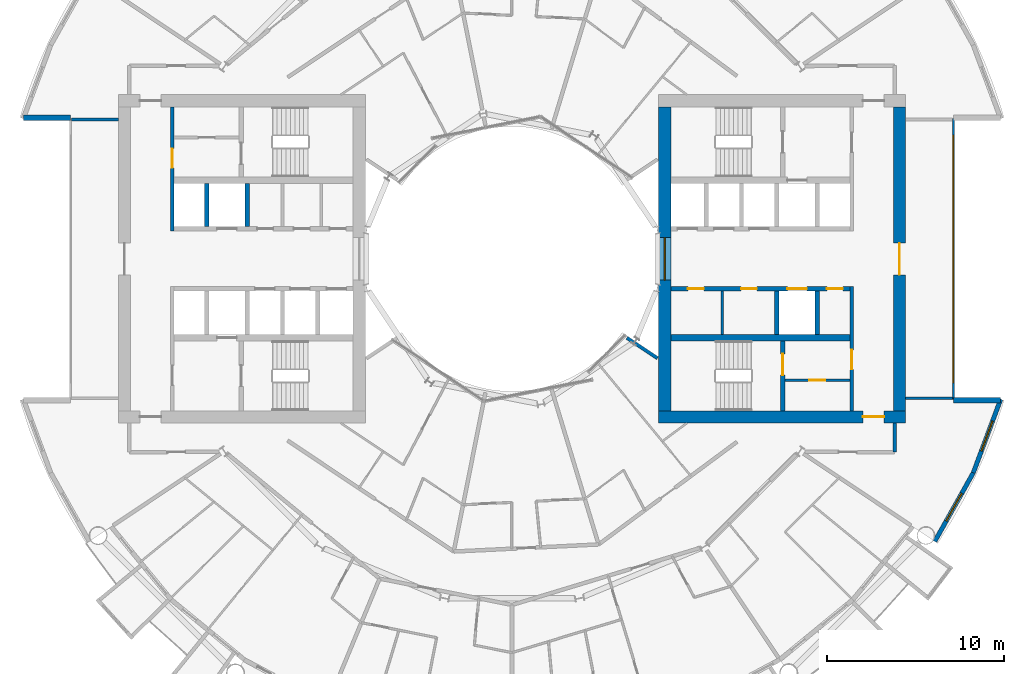
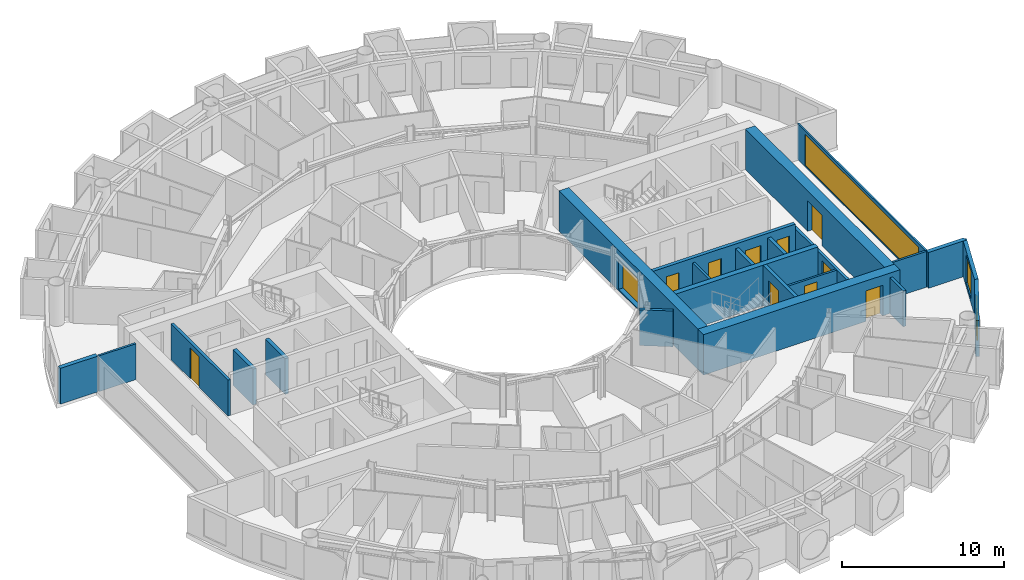
# One storey, part 17 of 26: 23 walls, 10 doors, 4 windows, 14 openings.
"""IFC4 building model written with IfcOpenShell, lengths in metres."""

from ifc_helpers import new_model, si_unit, direction, frame, frame_2d, origin, place, context, subcontext, project, spatial, rectangle, extrude, material, layer, layer_set, type_object, element, fill, save


model = new_model("IFC4")

# Units and contexts
model_context = context("Model", 3, precision=1e-05, world=origin(), true_north=direction((0.0, 1.0)))
body_context = subcontext(model_context, "Body", "Model", "MODEL_VIEW")
ifc_project = project(units=[si_unit("LENGTHUNIT", "METRE"), si_unit("AREAUNIT", "SQUARE_METRE"), si_unit("VOLUMEUNIT", "CUBIC_METRE"), si_unit("PLANEANGLEUNIT", "RADIAN"), si_unit("MASSUNIT", "GRAM", prefix="KILO")], contexts=[model_context])

# Site, building, storey
site_placement = place(None, origin())
site = spatial("IfcSite", under=ifc_project, at=site_placement, CompositionType="ELEMENT")
building_placement = place(site_placement, origin())
building = spatial("IfcBuilding", under=site, at=building_placement, Name="Maasbend Ring Residences", CompositionType="ELEMENT")
storey_placement = place(building_placement, frame((0.0, 0.0, 88.0)))
storey = spatial("IfcBuildingStorey", under=building, at=storey_placement, Name="L25", CompositionType="ELEMENT", Elevation=88.0)

# Wall, openings, doors
ifc_material_1 = material(Name="Concrete C70/85", Category="concrete")
ifc_layer_1 = layer(ifc_material_1, 0.25)
ifc_layer_set_1 = layer_set([ifc_layer_1], Name="Concrete C70/85")
wall_type_1 = type_object("IfcWallType", Name="CORE WALL 250 C70/85", PredefinedType="SHEAR", material=ifc_layer_set_1)
wall_1_placement = place(storey_placement, frame((19.14990234375, -1.699951171875, 0.0), z_axis=(0.0, 0.0, 1.0), x_axis=(-1.0, 0.0, 0.0)))
wall_1 = element("IfcWall", 1, at=wall_1_placement, inside=storey, type_object=wall_type_1, Name="L25 core E wall SPS", PredefinedType="SHEAR", context=body_context, shape_type="SweptSolid", body=[
    extrude(rectangle(XDim=10.14990234375, YDim=0.25, at=frame_2d((5.074951171875, 0.0))), origin(), (0.0, 0.0, 1.0), 3.050048828125),
])
opening_1_placement = place(wall_1_placement, frame((2.449951171875, 0.0, 0.0)))
opening_1 = element("IfcOpeningElement", 2, at=opening_1_placement, cuts=wall_1, Name="Opening LD-E2505", PredefinedType="OPENING", context=body_context, shape_type="SweptSolid", body=[
    extrude(rectangle(XDim=1.10009765625, YDim=2.300048828125, at=frame_2d((0.550048828125, 1.14990234375))), frame((0.0, 0.135009765625, 0.0), z_axis=(0.0, -1.0, 0.0), x_axis=(1.0, 0.0, 0.0)), (0.0, 0.0, 1.0), 0.27001953125),
])
opening_2_placement = place(wall_1_placement, frame((8.28759765625, 0.0, 0.0)))
opening_2 = element("IfcOpeningElement", 3, at=opening_2_placement, cuts=wall_1, Name="Opening D-E2506", PredefinedType="OPENING", context=body_context, shape_type="SweptSolid", body=[
    extrude(rectangle(XDim=0.89990234375, YDim=2.300048828125, at=frame_2d((0.449951171875, 1.14990234375))), frame((0.0, 0.135009765625, 0.0), z_axis=(0.0, -1.0, 0.0), x_axis=(1.0, 0.0, 0.0)), (0.0, 0.0, 1.0), 0.27001953125),
])
opening_3_placement = place(wall_1_placement, frame((5.27490234375, 0.0, 0.0)))
opening_3 = element("IfcOpeningElement", 4, at=opening_3_placement, cuts=wall_1, Name="Opening D-E2507", PredefinedType="OPENING", context=body_context, shape_type="SweptSolid", body=[
    extrude(rectangle(XDim=0.89990234375, YDim=2.300048828125, at=frame_2d((0.449951171875, 1.14990234375))), frame((0.0, 0.135009765625, 0.0), z_axis=(0.0, -1.0, 0.0), x_axis=(1.0, 0.0, 0.0)), (0.0, 0.0, 1.0), 0.27001953125),
])
opening_4_placement = place(wall_1_placement, frame((0.41259765625, 0.0, 0.0)))
opening_4 = element("IfcOpeningElement", 5, at=opening_4_placement, cuts=wall_1, Name="Opening D-E2508", PredefinedType="OPENING", context=body_context, shape_type="SweptSolid", body=[
    extrude(rectangle(XDim=0.89990234375, YDim=2.300048828125, at=frame_2d((0.449951171875, 1.14990234375))), frame((0.0, 0.135009765625, 0.0), z_axis=(0.0, -1.0, 0.0), x_axis=(1.0, 0.0, 0.0)), (0.0, 0.0, 1.0), 0.27001953125),
])
ifc_material_2 = material(Name="Stainless steel 316", Category="steel")
door_type_1 = type_object("IfcDoorType", Name="LANDING DOOR 1100 X 2300 FD60", OperationType="DOUBLE_DOOR_SLIDING", PredefinedType="DOOR", material=ifc_material_2)
door_1_placement = place(opening_1_placement, origin())
door_1 = element("IfcDoor", 6, at=door_1_placement, inside=storey, type_object=door_type_1, Name="Landing door SV-E L25", OperationType="DOUBLE_DOOR_SLIDING", OverallHeight=2.300048828125, OverallWidth=1.10009765625, PredefinedType="DOOR", context=body_context, shape_type="SweptSolid", body=[
    extrude(rectangle(XDim=1.10009765625, YDim=2.300048828125, at=frame_2d((0.550048828125, 1.14990234375))), frame((0.0, 0.02490234375, 0.0), z_axis=(0.0, -1.0, 0.0), x_axis=(1.0, 0.0, 0.0)), (0.0, 0.0, 1.0), 0.050048828125),
])
fill(opening_1, door_1)
ifc_material_3 = material(Name="Steel, powder coated", Category="steel")
door_type_2 = type_object("IfcDoorType", Name="ROOM DOOR 900 X 2300 FD30S", OperationType="NOTDEFINED", PredefinedType="DOOR", material=ifc_material_3)
door_2_placement = place(opening_2_placement, origin())
door_2 = element("IfcDoor", 7, at=door_2_placement, inside=storey, type_object=door_type_2, Name="Room door L25", OperationType="SINGLE_SWING_LEFT", OverallHeight=2.300048828125, OverallWidth=0.89990234375, PredefinedType="DOOR", context=body_context, shape_type="SweptSolid", body=[
    extrude(rectangle(XDim=0.89990234375, YDim=2.300048828125, at=frame_2d((0.449951171875, 1.14990234375))), frame((0.0, 0.02490234375, 0.0), z_axis=(0.0, -1.0, 0.0), x_axis=(1.0, 0.0, 0.0)), (0.0, 0.0, 1.0), 0.050048828125),
])
fill(opening_2, door_2)
door_3_placement = place(opening_3_placement, origin())
door_3 = element("IfcDoor", 8, at=door_3_placement, inside=storey, type_object=door_type_2, Name="Room door L25", OperationType="SINGLE_SWING_LEFT", OverallHeight=2.300048828125, OverallWidth=0.89990234375, PredefinedType="DOOR", context=body_context, shape_type="SweptSolid", body=[
    extrude(rectangle(XDim=0.89990234375, YDim=2.300048828125, at=frame_2d((0.449951171875, 1.14990234375))), frame((0.0, 0.02490234375, 0.0), z_axis=(0.0, -1.0, 0.0), x_axis=(1.0, 0.0, 0.0)), (0.0, 0.0, 1.0), 0.050048828125),
])
fill(opening_3, door_3)
door_4_placement = place(opening_4_placement, origin())
door_4 = element("IfcDoor", 9, at=door_4_placement, inside=storey, type_object=door_type_2, Name="Room door L25", OperationType="SINGLE_SWING_RIGHT", OverallHeight=2.300048828125, OverallWidth=0.89990234375, PredefinedType="DOOR", context=body_context, shape_type="SweptSolid", body=[
    extrude(rectangle(XDim=0.89990234375, YDim=2.300048828125, at=frame_2d((0.449951171875, 1.14990234375))), frame((0.0, 0.02490234375, 0.0), z_axis=(0.0, -1.0, 0.0), x_axis=(1.0, 0.0, 0.0)), (0.0, 0.0, 1.0), 0.050048828125),
])
fill(opening_4, door_4)

# Wall, opening, door
wall_2_placement = place(storey_placement, frame((15.324951171875, -8.60009765625, 0.0), z_axis=(0.0, 0.0, 1.0), x_axis=(0.0, 1.0, 0.0)))
wall_2 = element("IfcWall", 10, at=wall_2_placement, inside=storey, type_object=wall_type_1, Name="L25 core E wall STES", PredefinedType="SHEAR", context=body_context, shape_type="SweptSolid", body=[
    extrude(rectangle(XDim=3.9501953125, YDim=0.25, at=frame_2d((1.97509765625, 0.0))), origin(), (0.0, 0.0, 1.0), 3.050048828125),
])
opening_5_placement = place(wall_2_placement, frame((2.02490234375, 0.0, 0.0)))
opening_5 = element("IfcOpeningElement", 11, at=opening_5_placement, cuts=wall_2, Name="Opening D-E2511", PredefinedType="OPENING", context=body_context, shape_type="SweptSolid", body=[
    extrude(rectangle(XDim=1.199951171875, YDim=2.300048828125, at=frame_2d((0.60009765625, 1.14990234375))), frame((0.0, 0.135009765625, 0.0), z_axis=(0.0, -1.0, 0.0), x_axis=(1.0, 0.0, 0.0)), (0.0, 0.0, 1.0), 0.27001953125),
])
ifc_material_4 = material(Name="Steel, powder coated", Category="steel")
door_type_3 = type_object("IfcDoorType", Name="STAIR DOOR 1200 X 2300 FD60", OperationType="NOTDEFINED", PredefinedType="DOOR", material=ifc_material_4)
door_5_placement = place(opening_5_placement, origin())
door_5 = element("IfcDoor", 12, at=door_5_placement, inside=storey, type_object=door_type_3, Name="Stair door ST-E L25", OperationType="SINGLE_SWING_LEFT", OverallHeight=2.300048828125, OverallWidth=1.199951171875, PredefinedType="DOOR", context=body_context, shape_type="SweptSolid", body=[
    extrude(rectangle(XDim=1.199951171875, YDim=2.300048828125, at=frame_2d((0.60009765625, 1.14990234375))), frame((0.0, 0.02490234375, 0.0), z_axis=(0.0, -1.0, 0.0), x_axis=(1.0, 0.0, 0.0)), (0.0, 0.0, 1.0), 0.050048828125),
])
fill(opening_5, door_5)

# Wall
ifc_material_5 = material(Name="Concrete C70/85", Category="concrete")
ifc_layer_2 = layer(ifc_material_5, 0.375)
ifc_layer_set_2 = layer_set([ifc_layer_2], Name="Concrete C70/85")
wall_type_2 = type_object("IfcWallType", Name="CORE WALL 375 C70/85", PredefinedType="SHEAR", material=ifc_layer_set_2)
wall_3_placement = place(storey_placement, frame((9.0, -4.46240234375, 0.0), z_axis=(0.0, 0.0, 1.0), x_axis=(1.0, 0.0, 0.0)))
element("IfcWall", 13, at=wall_3_placement, inside=storey, type_object=wall_type_2, Name="L25 core E wall BS", PredefinedType="SHEAR", context=body_context, shape_type="SweptSolid", body=[
    extrude(rectangle(XDim=10.14990234375, YDim=0.375, at=frame_2d((5.074951171875, 0.0))), origin(), (0.0, 0.0, 1.0), 3.050048828125),
])

# Wall, opening, door
ifc_material_6 = material(Name="Concrete C70/85", Category="concrete")
ifc_layer_3 = layer(ifc_material_6, 0.699951171875)
ifc_layer_set_3 = layer_set([ifc_layer_3], Name="Concrete C70/85")
wall_type_3 = type_object("IfcWallType", Name="CORE WALL 700 C70/85", PredefinedType="SHEAR", material=ifc_layer_set_3)
wall_4_placement = place(storey_placement, frame((8.300048828125, -8.949951171875, 0.0), z_axis=(0.0, 0.0, 1.0), x_axis=(1.0, 0.0, 0.0)))
wall_4 = element("IfcWall", 14, at=wall_4_placement, inside=storey, type_object=wall_type_3, Name="L25 core E wall PS", PredefinedType="SHEAR", context=body_context, shape_type="SweptSolid", body=[
    extrude(rectangle(XDim=14.0, YDim=0.699951171875, at=frame_2d((7.0, 0.0))), origin(), (0.0, 0.0, 1.0), 3.050048828125),
])
opening_6_placement = place(wall_4_placement, frame((11.574951171875, 0.0, 0.0)))
opening_6 = element("IfcOpeningElement", 15, at=opening_6_placement, cuts=wall_4, Name="Opening D-E2515", PredefinedType="OPENING", context=body_context, shape_type="SweptSolid", body=[
    extrude(rectangle(XDim=1.199951171875, YDim=2.300048828125, at=frame_2d((0.60009765625, 1.14990234375))), frame((0.0, 0.35986328125, 0.0), z_axis=(0.0, -1.0, 0.0), x_axis=(1.0, 0.0, 0.0)), (0.0, 0.0, 1.0), 0.719970703125),
])
ifc_material_7 = material(Name="Steel, powder coated", Category="steel")
door_type_4 = type_object("IfcDoorType", Name="CORRIDOR DOOR 1200 X 2300 FD30S", OperationType="NOTDEFINED", PredefinedType="DOOR", material=ifc_material_7)
door_6_placement = place(opening_6_placement, origin())
door_6 = element("IfcDoor", 16, at=door_6_placement, inside=storey, type_object=door_type_4, Name="Corridor door L25", OperationType="SINGLE_SWING_LEFT", OverallHeight=2.300048828125, OverallWidth=1.199951171875, PredefinedType="DOOR", context=body_context, shape_type="SweptSolid", body=[
    extrude(rectangle(XDim=1.199951171875, YDim=2.300048828125, at=frame_2d((0.60009765625, 1.14990234375))), frame((0.0, 0.02490234375, 0.0), z_axis=(0.0, -1.0, 0.0), x_axis=(1.0, 0.0, 0.0)), (0.0, 0.0, 1.0), 0.050048828125),
])
fill(opening_6, door_6)

wall_5_placement = place(storey_placement, frame((21.949951171875, 8.60009765625, 0.0), z_axis=(0.0, 0.0, 1.0), x_axis=(0.0, -1.0, 0.0)))
wall_5 = element("IfcWall", 17, at=wall_5_placement, inside=storey, type_object=wall_type_3, Name="L25 core E wall POUT", PredefinedType="SHEAR", context=body_context, shape_type="SweptSolid", body=[
    extrude(rectangle(XDim=17.2001953125, YDim=0.699951171875, at=frame_2d((8.60009765625, 0.0))), origin(), (0.0, 0.0, 1.0), 3.050048828125),
])
opening_7_placement = place(wall_5_placement, frame((7.699951171875, 0.0, 0.0)))
opening_7 = element("IfcOpeningElement", 18, at=opening_7_placement, cuts=wall_5, Name="Opening D-E2516", PredefinedType="OPENING", context=body_context, shape_type="SweptSolid", body=[
    extrude(rectangle(XDim=1.800048828125, YDim=2.300048828125, at=frame_2d((0.89990234375, 1.14990234375))), frame((0.0, 0.35986328125, 0.0), z_axis=(0.0, -1.0, 0.0), x_axis=(1.0, 0.0, 0.0)), (0.0, 0.0, 1.0), 0.719970703125),
])
ifc_material_8 = material(Name="Aluminium frame, clear glass", Category="aluminium")
door_type_5 = type_object("IfcDoorType", Name="ENTRANCE DOOR 1800 X 2300 FD60", OperationType="NOTDEFINED", PredefinedType="DOOR", material=ifc_material_8)
door_7_placement = place(opening_7_placement, origin())
door_7 = element("IfcDoor", 19, at=door_7_placement, inside=storey, type_object=door_type_5, Name="Lobby glazed door L25", OperationType="SINGLE_SWING_LEFT", OverallHeight=2.300048828125, OverallWidth=1.800048828125, PredefinedType="DOOR", context=body_context, shape_type="SweptSolid", body=[
    extrude(rectangle(XDim=1.800048828125, YDim=2.300048828125, at=frame_2d((0.89990234375, 1.14990234375))), frame((0.0, 0.02490234375, 0.0), z_axis=(0.0, -1.0, 0.0), x_axis=(1.0, 0.0, 0.0)), (0.0, 0.0, 1.0), 0.050048828125),
])
fill(opening_7, door_7)

# Wall, opening, window
wall_6_placement = place(storey_placement, frame((8.64990234375, -8.60009765625, 0.0), z_axis=(0.0, 0.0, 1.0), x_axis=(0.0, 1.0, 0.0)))
wall_6 = element("IfcWall", 20, at=wall_6_placement, inside=storey, type_object=wall_type_3, Name="L25 core E wall PIN", PredefinedType="SHEAR", context=body_context, shape_type="SweptSolid", body=[
    extrude(rectangle(XDim=17.2001953125, YDim=0.699951171875, at=frame_2d((8.60009765625, 0.0))), origin(), (0.0, 0.0, 1.0), 3.050048828125),
])
opening_8_placement = place(wall_6_placement, frame((7.39990234375, 0.0, 0.10009765625)))
opening_8 = element("IfcOpeningElement", 21, at=opening_8_placement, cuts=wall_6, Name="Opening W-E2501", PredefinedType="OPENING", context=body_context, shape_type="SweptSolid", body=[
    extrude(rectangle(XDim=2.39990234375, YDim=2.199951171875, at=frame_2d((1.199951171875, 1.10009765625))), frame((0.0, 0.35986328125, 0.0), z_axis=(0.0, -1.0, 0.0), x_axis=(1.0, 0.0, 0.0)), (0.0, 0.0, 1.0), 0.719970703125),
])
ifc_material_9 = material(Name="Aluminium frame and clear glass", Category="aluminium")
window_type_1 = type_object("IfcWindowType", Name="FIXED WINDOW 2400 X 2200", PartitioningType="SINGLE_PANEL", PredefinedType="WINDOW", material=ifc_material_9)
window_1_placement = place(opening_8_placement, origin())
window_1 = element("IfcWindow", 22, at=window_1_placement, inside=storey, type_object=window_type_1, Name="Lobby window L25", OverallHeight=2.199951171875, OverallWidth=2.39990234375, PartitioningType="SINGLE_PANEL", PredefinedType="WINDOW", context=body_context, shape_type="SweptSolid", body=[
    extrude(rectangle(XDim=2.39990234375, YDim=2.199951171875, at=frame_2d((1.199951171875, 1.10009765625))), frame((0.0, 0.030029296875, 0.0), z_axis=(0.0, -1.0, 0.0), x_axis=(1.0, 0.0, 0.0)), (0.0, 0.0, 1.0), 0.06005859375),
])
fill(opening_8, window_1)

# Wall
ifc_material_10 = material(Name="Concrete C30/37", Category="concrete")
ifc_layer_4 = layer(ifc_material_10, 0.199951171875)
ifc_layer_set_4 = layer_set([ifc_layer_4], Name="Concrete C30/37")
wall_type_4 = type_object("IfcWallType", Name="CORRIDOR WALL 200 CONCRETE", PredefinedType="PARTITIONING", material=ifc_layer_set_4)
wall_7_placement = place(storey_placement, frame((21.675048828125, -10.949951171875, 0.0), z_axis=(0.0, 0.0, 1.0), x_axis=(0.0, 1.0, 0.0)))
element("IfcWall", 23, at=wall_7_placement, inside=storey, type_object=wall_type_4, Name="U-L25-w005", PredefinedType="PARTITIONING", context=body_context, shape_type="SweptSolid", body=[
    extrude(rectangle(XDim=1.64990234375, YDim=0.199951171875, at=frame_2d((0.824951171875, 0.0))), origin(), (0.0, 0.0, 1.0), 2.699951171875),
])

# Wall, opening, window
ifc_material_11 = material(Name="Aluminium clad insulated panel", Category="aluminium")
ifc_layer_5 = layer(ifc_material_11, 0.25)
ifc_layer_set_5 = layer_set([ifc_layer_5], Name="EW-HORN")
wall_type_5 = type_object("IfcWallType", Name="EW-HORN", PredefinedType="SOLIDWALL", material=ifc_layer_set_5)
wall_8_placement = place(storey_placement, frame((23.946044921875, -16.0, 0.0), z_axis=(0.0, 0.0, 1.0), x_axis=(0.489696356642, 0.871893042919, 0.0)))
wall_8 = element("IfcWall", 24, at=wall_8_placement, inside=storey, type_object=wall_type_5, Name="Horn wall 2.1", PredefinedType="SOLIDWALL", context=body_context, shape_type="SweptSolid", body=[
    extrude(rectangle(XDim=4.45361328125, YDim=0.25, at=frame_2d((2.226806640625, 0.0))), origin(), (0.0, 0.0, 1.0), 2.699951171875),
])
opening_9_placement = place(wall_8_placement, frame((1.32666015625, 0.0, 0.300048828125)))
opening_9 = element("IfcOpeningElement", 25, at=opening_9_placement, cuts=wall_8, Name="Opening W-BX", PredefinedType="OPENING", context=body_context, shape_type="SweptSolid", body=[
    extrude(rectangle(XDim=1.800048828125, YDim=2.10009765625, at=frame_2d((0.89990234375, 1.050048828125))), frame((0.0, 0.135009765625, 0.0), z_axis=(0.0, -1.0, 0.0), x_axis=(1.0, 0.0, 0.0)), (0.0, 0.0, 1.0), 0.27001953125),
])
ifc_material_12 = material(Name="Aluminium and clear glass", Category="aluminium")
window_type_2 = type_object("IfcWindowType", Name="W-BX", PartitioningType="DOUBLE_PANEL_VERTICAL", PredefinedType="WINDOW", material=ifc_material_12)
window_2_placement = place(opening_9_placement, origin())
window_2 = element("IfcWindow", 26, at=window_2_placement, inside=storey, type_object=window_type_2, Name="Horn window 2.1", OverallHeight=2.10009765625, OverallWidth=1.800048828125, PartitioningType="SINGLE_PANEL", PredefinedType="WINDOW", context=body_context, shape_type="SweptSolid", body=[
    extrude(rectangle(XDim=1.800048828125, YDim=2.10009765625, at=frame_2d((0.89990234375, 1.050048828125))), frame((0.0, 0.030029296875, 0.0), z_axis=(0.0, -1.0, 0.0), x_axis=(1.0, 0.0, 0.0)), (0.0, 0.0, 1.0), 0.06005859375),
])
fill(opening_9, window_2)

wall_9_placement = place(storey_placement, frame((26.126953125, -12.116943359375, 0.0), z_axis=(0.0, 0.0, 1.0), x_axis=(0.349247811493, 0.937030397675, 0.0)))
wall_9 = element("IfcWall", 27, at=wall_9_placement, inside=storey, type_object=wall_type_5, Name="Horn wall 2.2", PredefinedType="SOLIDWALL", context=body_context, shape_type="SweptSolid", body=[
    extrude(rectangle(XDim=4.4521484375, YDim=0.25, at=frame_2d((2.22607421875, 0.0))), origin(), (0.0, 0.0, 1.0), 2.699951171875),
])
opening_10_placement = place(wall_9_placement, frame((1.32666015625, 0.0, 0.300048828125)))
opening_10 = element("IfcOpeningElement", 28, at=opening_10_placement, cuts=wall_9, Name="Opening W-BX", PredefinedType="OPENING", context=body_context, shape_type="SweptSolid", body=[
    extrude(rectangle(XDim=1.800048828125, YDim=2.10009765625, at=frame_2d((0.89990234375, 1.050048828125))), frame((0.0, 0.135009765625, 0.0), z_axis=(0.0, -1.0, 0.0), x_axis=(1.0, 0.0, 0.0)), (0.0, 0.0, 1.0), 0.27001953125),
])
window_3_placement = place(opening_10_placement, origin())
window_3 = element("IfcWindow", 29, at=window_3_placement, inside=storey, type_object=window_type_2, Name="Horn window 2.2", OverallHeight=2.10009765625, OverallWidth=1.800048828125, PartitioningType="SINGLE_PANEL", PredefinedType="WINDOW", context=body_context, shape_type="SweptSolid", body=[
    extrude(rectangle(XDim=1.800048828125, YDim=2.10009765625, at=frame_2d((0.89990234375, 1.050048828125))), frame((0.0, 0.030029296875, 0.0), z_axis=(0.0, -1.0, 0.0), x_axis=(1.0, 0.0, 0.0)), (0.0, 0.0, 1.0), 0.06005859375),
])
fill(opening_10, window_3)

# Walls
ifc_material_13 = material(Name="Aluminium clad insulated panel", Category="aluminium")
ifc_layer_6 = layer(ifc_material_13, 0.300048828125)
ifc_layer_set_6 = layer_set([ifc_layer_6], Name="EW-RET")
wall_type_6 = type_object("IfcWallType", Name="EW-RET", PredefinedType="SOLIDWALL", material=ifc_layer_set_6)
for number, where, z_axis, x_axis, name in (
    (30, (25.0, -8.0, 0.0), (0.0, 0.0, 1.0), (1.0, 0.0, 0.0), "Notch return wall east south"),
    (31, (-25.0, 8.0, 0.0), (0.0, 0.0, 1.0), (-1.0, 0.0, 0.0), "Notch return wall west north"),
):
    element("IfcWall", number, at=place(storey_placement, frame(where, z_axis=z_axis, x_axis=x_axis)), inside=storey, type_object=wall_type_6, Name=name, PredefinedType="SOLIDWALL", context=body_context, shape_type="SweptSolid", body=[
        extrude(rectangle(XDim=2.6669921875, YDim=0.300048828125, at=frame_2d((1.33349609375, 0.0))), origin(), (0.0, 0.0, 1.0), 2.699951171875),
    ])

# Wall, opening, window
ifc_material_14 = material(Name="Aluminium frame and clear glass", Category="aluminium")
ifc_layer_7 = layer(ifc_material_14, 0.1201171875)
ifc_layer_set_7 = layer_set([ifc_layer_7], Name="GLAZED SCREEN WALL 120 EI 60")
wall_type_7 = type_object("IfcWallType", Name="GLAZED SCREEN WALL 120 EI 60", PredefinedType="PARTITIONING", material=ifc_layer_set_7)
wall_10_placement = place(storey_placement, frame((25.0, -7.949951171875, 0.0), z_axis=(0.0, 0.0, 1.0), x_axis=(0.0, 1.0, 0.0)))
wall_10 = element("IfcWall", 32, at=wall_10_placement, inside=storey, type_object=wall_type_7, Name="L25 core E wall FACE", PredefinedType="PARTITIONING", context=body_context, shape_type="SweptSolid", body=[
    extrude(rectangle(XDim=15.89990234375, YDim=0.1201171875, at=frame_2d((7.949951171875, 0.0))), origin(), (0.0, 0.0, 1.0), 2.699951171875),
])
opening_11_placement = place(wall_10_placement, frame((0.949951171875, 0.0, 0.10009765625)))
opening_11 = element("IfcOpeningElement", 33, at=opening_11_placement, cuts=wall_10, Name="Opening W-E2502", PredefinedType="OPENING", context=body_context, shape_type="SweptSolid", body=[
    extrude(rectangle(XDim=14.0, YDim=2.35009765625, at=frame_2d((7.0, 1.175048828125))), frame((0.0, 0.070068359375, 0.0), z_axis=(0.0, -1.0, 0.0), x_axis=(1.0, 0.0, 0.0)), (0.0, 0.0, 1.0), 0.14013671875),
])
ifc_material_15 = material(Name="Aluminium frame and clear glass", Category="aluminium")
window_type_3 = type_object("IfcWindowType", Name="FIXED WINDOW 14000 X 2350", PartitioningType="SINGLE_PANEL", PredefinedType="WINDOW", material=ifc_material_15)
window_4_placement = place(opening_11_placement, origin())
window_4 = element("IfcWindow", 34, at=window_4_placement, inside=storey, type_object=window_type_3, Name="Lobby window L25", OverallHeight=2.35009765625, OverallWidth=14.0, PartitioningType="SINGLE_PANEL", PredefinedType="WINDOW", context=body_context, shape_type="SweptSolid", body=[
    extrude(rectangle(XDim=14.0, YDim=2.35009765625, at=frame_2d((7.0, 1.175048828125))), frame((0.0, 0.030029296875, 0.0), z_axis=(0.0, -1.0, 0.0), x_axis=(1.0, 0.0, 0.0)), (0.0, 0.0, 1.0), 0.06005859375),
])
fill(opening_11, window_4)

# Wall
ifc_material_16 = material(Name="Gypsum board on steel studs", Category="steel")
ifc_layer_8 = layer(ifc_material_16, 0.14990234375)
ifc_layer_set_8 = layer_set([ifc_layer_8], Name="PARTITION 150 EI 60")
wall_type_8 = type_object("IfcWallType", Name="PARTITION 150 EI 60", PredefinedType="PARTITIONING", material=ifc_layer_set_8)
wall_11_placement = place(storey_placement, frame((11.89990234375, -1.824951171875, 0.0), z_axis=(0.0, 0.0, 1.0), x_axis=(0.0, -1.0, 0.0)))
element("IfcWall", 35, at=wall_11_placement, inside=storey, type_object=wall_type_8, Name="L25 core E wall PRS1190", PredefinedType="PARTITIONING", context=body_context, shape_type="SweptSolid", body=[
    extrude(rectangle(XDim=2.449951171875, YDim=0.14990234375, at=frame_2d((1.22509765625, 0.0))), origin(), (0.0, 0.0, 1.0), 2.699951171875),
])

# Wall, opening, door
wall_12_placement = place(storey_placement, frame((15.449951171875, -6.875, 0.0), z_axis=(0.0, 0.0, 1.0), x_axis=(1.0, 0.0, 0.0)))
wall_12 = element("IfcWall", 36, at=wall_12_placement, inside=storey, type_object=wall_type_8, Name="L25 core E wall RHS", PredefinedType="PARTITIONING", context=body_context, shape_type="SweptSolid", body=[
    extrude(rectangle(XDim=3.699951171875, YDim=0.14990234375, at=frame_2d((1.85009765625, 0.0))), origin(), (0.0, 0.0, 1.0), 2.699951171875),
])
opening_12_placement = place(wall_12_placement, frame((1.39990234375, 0.0, 0.0)))
opening_12 = element("IfcOpeningElement", 37, at=opening_12_placement, cuts=wall_12, Name="Opening D-E2509", PredefinedType="OPENING", context=body_context, shape_type="SweptSolid", body=[
    extrude(rectangle(XDim=0.89990234375, YDim=2.300048828125, at=frame_2d((0.449951171875, 1.14990234375))), frame((0.0, 0.0849609375, 0.0), z_axis=(0.0, -1.0, 0.0), x_axis=(1.0, 0.0, 0.0)), (0.0, 0.0, 1.0), 0.169921875),
])
ifc_material_17 = material(Name="Steel, powder coated", Category="steel")
door_type_6 = type_object("IfcDoorType", Name="RISER DOOR 900 X 2300 FD60", OperationType="NOTDEFINED", PredefinedType="DOOR", material=ifc_material_17)
door_8_placement = place(opening_12_placement, origin())
door_8 = element("IfcDoor", 38, at=door_8_placement, inside=storey, type_object=door_type_6, Name="Riser door L25", OperationType="SINGLE_SWING_LEFT", OverallHeight=2.300048828125, OverallWidth=0.89990234375, PredefinedType="DOOR", context=body_context, shape_type="SweptSolid", body=[
    extrude(rectangle(XDim=0.89990234375, YDim=2.300048828125, at=frame_2d((0.449951171875, 1.14990234375))), frame((0.0, 0.02490234375, 0.0), z_axis=(0.0, -1.0, 0.0), x_axis=(1.0, 0.0, 0.0)), (0.0, 0.0, 1.0), 0.050048828125),
])
fill(opening_12, door_8)

# Walls
for number, where, z_axis, x_axis, name in (
    (39, (22.300048828125, -7.89990234375, 0.0), (0.0, 0.0, 1.0), (1.0, 0.0, 0.0), "L25 core E wall CITS"),
    (40, (-22.300048828125, 7.89990234375, 0.0), (0.0, 0.0, 1.0), (-1.0, 0.0, 0.0), "L25 core W wall CITS"),
):
    element("IfcWall", number, at=place(storey_placement, frame(where, z_axis=z_axis, x_axis=x_axis)), inside=storey, type_object=wall_type_8, Name=name, PredefinedType="PARTITIONING", context=body_context, shape_type="SweptSolid", body=[
        extrude(rectangle(XDim=2.639892578125, YDim=0.14990234375, at=frame_2d((1.31982421875, 0.0))), origin(), (0.0, 0.0, 1.0), 2.699951171875),
    ])
ifc_material_18 = material(Name="Concrete C30/37", Category="concrete")
ifc_layer_9 = layer(ifc_material_18, 0.199951171875)
ifc_layer_set_9 = layer_set([ifc_layer_9], Name="Concrete C30/37")
wall_type_9 = type_object("IfcWallType", Name="PARTY WALL 200 CONCRETE", PredefinedType="PARTITIONING", material=ifc_layer_set_9)
wall_13_placement = place(storey_placement, frame((6.512939453125, -4.471923828125, 0.0), z_axis=(0.0, 0.0, 1.0), x_axis=(0.831382204863, -0.555701025225, 0.0)))
element("IfcWall", 41, at=wall_13_placement, inside=storey, type_object=wall_type_9, Name="U-L25-w027", PredefinedType="PARTITIONING", context=body_context, shape_type="SweptSolid", body=[
    extrude(rectangle(XDim=2.08203125, YDim=0.199951171875, at=frame_2d((1.041015625, 0.0))), origin(), (0.0, 0.0, 1.0), 2.699951171875),
])

# Wall, opening, door
ifc_material_19 = material(Name="Concrete C30/37", Category="concrete")
ifc_layer_10 = layer(ifc_material_19, 0.199951171875)
ifc_layer_set_10 = layer_set([ifc_layer_10], Name="Concrete C30/37")
wall_type_10 = type_object("IfcWallType", Name="SHAFT WALL 200 EI 120", PredefinedType="SOLIDWALL", material=ifc_layer_set_10)
wall_14_placement = place(storey_placement, frame((19.25, -8.60009765625, 0.0), z_axis=(0.0, 0.0, 1.0), x_axis=(0.0, 1.0, 0.0)))
wall_14 = element("IfcWall", 42, at=wall_14_placement, inside=storey, type_object=wall_type_10, Name="L25 core E wall ENDS", PredefinedType="SOLIDWALL", context=body_context, shape_type="SweptSolid", body=[
    extrude(rectangle(XDim=7.025146484375, YDim=0.199951171875, at=frame_2d((3.5126953125, 0.0))), origin(), (0.0, 0.0, 1.0), 2.699951171875),
])
opening_13_placement = place(wall_14_placement, frame((2.35009765625, 0.0, 0.0)))
opening_13 = element("IfcOpeningElement", 43, at=opening_13_placement, cuts=wall_14, Name="Opening D-E2513", PredefinedType="OPENING", context=body_context, shape_type="SweptSolid", body=[
    extrude(rectangle(XDim=1.10009765625, YDim=2.300048828125, at=frame_2d((0.550048828125, 1.14990234375))), frame((0.0, 0.10986328125, 0.0), z_axis=(0.0, -1.0, 0.0), x_axis=(1.0, 0.0, 0.0)), (0.0, 0.0, 1.0), 0.219970703125),
])
ifc_material_20 = material(Name="Steel, powder coated", Category="steel")
door_type_7 = type_object("IfcDoorType", Name="LOBBY DOOR 1100 X 2300 FD60", OperationType="NOTDEFINED", PredefinedType="DOOR", material=ifc_material_20)
door_9_placement = place(opening_13_placement, origin())
door_9 = element("IfcDoor", 44, at=door_9_placement, inside=storey, type_object=door_type_7, Name="Lobby door L25", OperationType="SINGLE_SWING_RIGHT", OverallHeight=2.300048828125, OverallWidth=1.10009765625, PredefinedType="DOOR", context=body_context, shape_type="SweptSolid", body=[
    extrude(rectangle(XDim=1.10009765625, YDim=2.300048828125, at=frame_2d((0.550048828125, 1.14990234375))), frame((0.0, 0.02490234375, 0.0), z_axis=(0.0, -1.0, 0.0), x_axis=(1.0, 0.0, 0.0)), (0.0, 0.0, 1.0), 0.050048828125),
])
fill(opening_13, door_9)

wall_15_placement = place(storey_placement, frame((-19.25, 8.60009765625, 0.0), z_axis=(0.0, 0.0, 1.0), x_axis=(0.0, -1.0, 0.0)))
wall_15 = element("IfcWall", 45, at=wall_15_placement, inside=storey, type_object=wall_type_10, Name="L25 core W wall ENDS", PredefinedType="SOLIDWALL", context=body_context, shape_type="SweptSolid", body=[
    extrude(rectangle(XDim=7.025146484375, YDim=0.199951171875, at=frame_2d((3.5126953125, 0.0))), origin(), (0.0, 0.0, 1.0), 2.699951171875),
])
opening_14_placement = place(wall_15_placement, frame((2.35009765625, 0.0, 0.0)))
opening_14 = element("IfcOpeningElement", 46, at=opening_14_placement, cuts=wall_15, Name="Opening D-W2513", PredefinedType="OPENING", context=body_context, shape_type="SweptSolid", body=[
    extrude(rectangle(XDim=1.10009765625, YDim=2.300048828125, at=frame_2d((0.550048828125, 1.14990234375))), frame((0.0, 0.10986328125, 0.0), z_axis=(0.0, -1.0, 0.0), x_axis=(1.0, 0.0, 0.0)), (0.0, 0.0, 1.0), 0.219970703125),
])
door_10_placement = place(opening_14_placement, origin())
door_10 = element("IfcDoor", 47, at=door_10_placement, inside=storey, type_object=door_type_7, Name="Lobby door L25", OperationType="SINGLE_SWING_RIGHT", OverallHeight=2.300048828125, OverallWidth=1.10009765625, PredefinedType="DOOR", context=body_context, shape_type="SweptSolid", body=[
    extrude(rectangle(XDim=1.10009765625, YDim=2.300048828125, at=frame_2d((0.550048828125, 1.14990234375))), frame((0.0, 0.02490234375, 0.0), z_axis=(0.0, -1.0, 0.0), x_axis=(1.0, 0.0, 0.0)), (0.0, 0.0, 1.0), 0.050048828125),
])
fill(opening_14, door_10)

# Walls
ifc_material_21 = material(Name="Concrete C30/37", Category="concrete")
ifc_layer_11 = layer(ifc_material_21, 0.25)
ifc_layer_set_11 = layer_set([ifc_layer_11], Name="Concrete C30/37")
wall_type_11 = type_object("IfcWallType", Name="SHAFT WALL 250 EI 120", PredefinedType="SOLIDWALL", material=ifc_layer_set_11)
for number, where, z_axis, x_axis, name in (
    (48, (15.0, -1.824951171875, 0.0), (0.0, 0.0, 1.0), (0.0, -1.0, 0.0), "L25 core E wall D150S"),
    (49, (17.300048828125, -1.824951171875, 0.0), (0.0, 0.0, 1.0), (0.0, -1.0, 0.0), "L25 core E wall D173S"),
    (50, (-15.0, 1.824951171875, 0.0), (0.0, 0.0, 1.0), (0.0, 1.0, 0.0), "L25 core W wall D150S"),
    (51, (-17.300048828125, 1.824951171875, 0.0), (0.0, 0.0, 1.0), (0.0, 1.0, 0.0), "L25 core W wall D173S"),
):
    element("IfcWall", number, at=place(storey_placement, frame(where, z_axis=z_axis, x_axis=x_axis)), inside=storey, type_object=wall_type_11, Name=name, PredefinedType="SOLIDWALL", context=body_context, shape_type="SweptSolid", body=[
        extrude(rectangle(XDim=2.449951171875, YDim=0.25, at=frame_2d((1.22509765625, 0.0))), origin(), (0.0, 0.0, 1.0), 2.699951171875),
    ])

save(model, "model.ifc")
